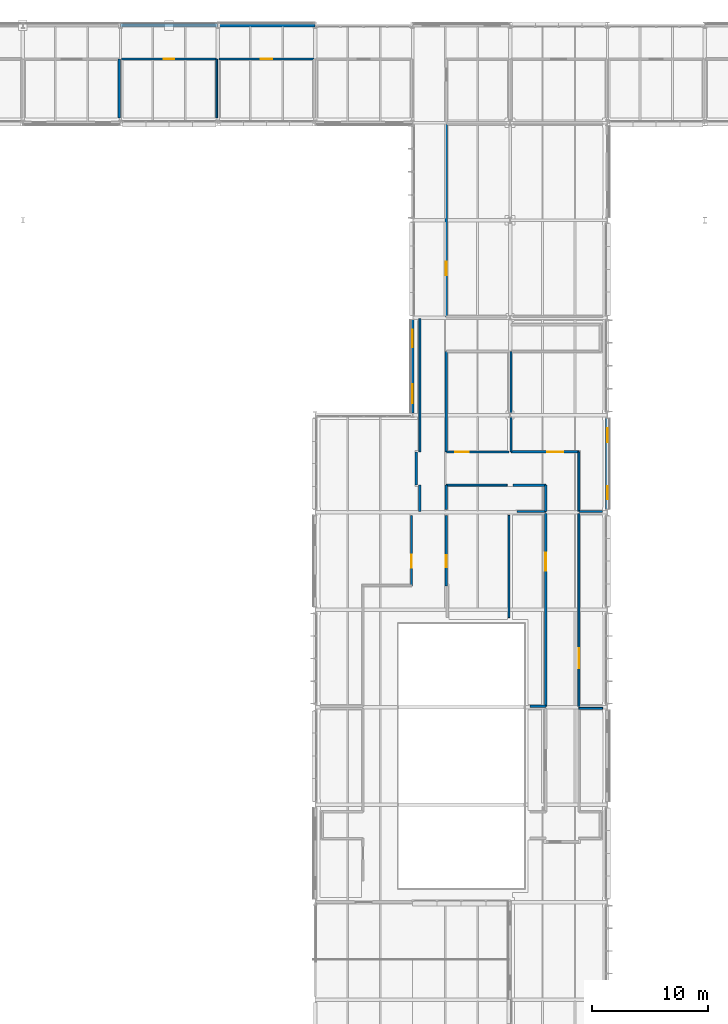
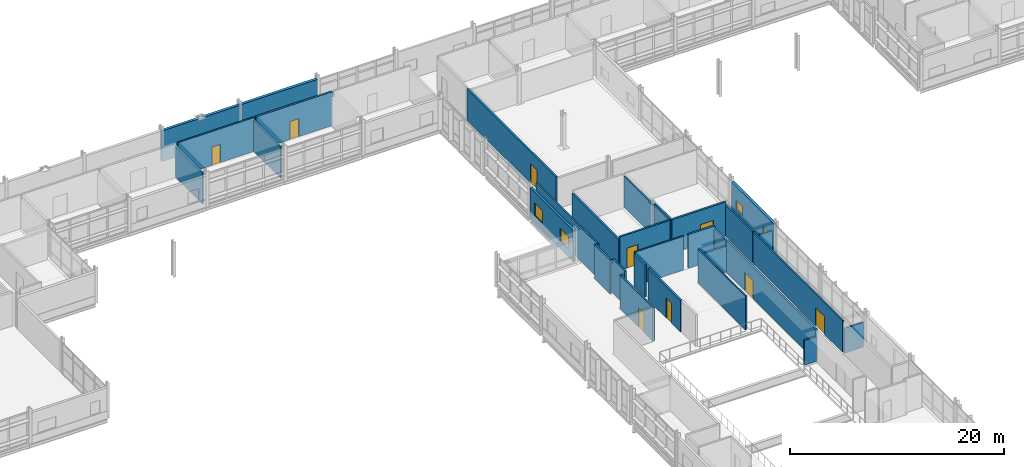
# One storey, part 109 of 131: 31 walls, 9 doors, 4 windows, 13 openings.
"""IFC4 building model written with IfcOpenShell, lengths in metres."""

from ifc_helpers import new_model, si_unit, direction, frame, frame_2d, origin, place, context, subcontext, project, spatial, rectangle, extrude, material, layer, layer_set, type_object, element, fill, save


model = new_model("IFC4")

# Units and contexts
model_context = context("Model", 3, precision=1e-05, world=origin(), true_north=direction((0.0, 1.0)))
body_context = subcontext(model_context, "Body", "Model", "MODEL_VIEW")
ifc_project = project(units=[si_unit("LENGTHUNIT", "METRE"), si_unit("AREAUNIT", "SQUARE_METRE"), si_unit("VOLUMEUNIT", "CUBIC_METRE"), si_unit("PLANEANGLEUNIT", "RADIAN"), si_unit("MASSUNIT", "GRAM", prefix="KILO")], contexts=[model_context])

# Site, building, storey
site_placement = place(None, origin())
site = spatial("IfcSite", under=ifc_project, at=site_placement, CompositionType="ELEMENT")
building_placement = place(site_placement, origin())
building = spatial("IfcBuilding", under=site, at=building_placement, Name="Mersafa Astral City Hall", CompositionType="ELEMENT")
storey_placement = place(building_placement, frame((0.0, 0.0, 13.949951171875)))
storey = spatial("IfcBuildingStorey", under=building, at=storey_placement, Name="L03", CompositionType="ELEMENT", Elevation=13.949951171875)

# Wall, openings, windows
ifc_material_1 = material(Name="Precast concrete C40/50 insulated limestone wall", Category="masonry")
ifc_layer_1 = layer(ifc_material_1, 0.264892578125, Name="Precast concrete C40/50 insulated limestone wall")
ifc_layer_set_1 = layer_set([ifc_layer_1], Name="Precast concrete C40/50 insulated limestone wall — ENV-WAL-EXT-265")
wall_type_1 = type_object("IfcWallType", Name="ENV-WAL-EXT-265", PredefinedType="STANDARD", material=ifc_layer_set_1)
wall_1_placement = place(storey_placement, frame((100.800048828125, 100.6240234375, 0.0), z_axis=(0.0, 0.0, 1.0), x_axis=(0.0, -1.0, 0.0)))
wall_1 = element("IfcWall", 1, at=wall_1_placement, inside=storey, type_object=wall_type_1, Name="L03 Limestone-clad exterior wall 279", PredefinedType="STANDARD", context=body_context, shape_type="SweptSolid", body=[
    extrude(rectangle(XDim=8.05810546875, YDim=0.264892578125, at=frame_2d((4.029052734375, 0.0))), origin(), (0.0, 0.0, 1.0), 3.5771484375),
])
opening_1_placement = place(wall_1_placement, frame((0.85009765625, 0.0, 0.89990234375)))
opening_1 = element("IfcOpeningElement", 2, at=opening_1_placement, cuts=wall_1, Name="Opening W-26", PredefinedType="OPENING", context=body_context, shape_type="SweptSolid", body=[
    extrude(rectangle(XDim=1.52001953125, YDim=1.449951171875, at=frame_2d((0.760009765625, 0.72509765625))), frame((0.0, 0.142333984375, 0.0), z_axis=(0.0, -1.0, 0.0), x_axis=(1.0, 0.0, 0.0)), (0.0, 0.0, 1.0), 0.284912109375),
])
opening_2_placement = place(wall_1_placement, frame((5.587890625, 0.0, 0.89990234375)))
opening_2 = element("IfcOpeningElement", 3, at=opening_2_placement, cuts=wall_1, Name="Opening W-27", PredefinedType="OPENING", context=body_context, shape_type="SweptSolid", body=[
    extrude(rectangle(XDim=1.6201171875, YDim=1.449951171875, at=frame_2d((0.81005859375, 0.72509765625))), frame((0.0, 0.142333984375, 0.0), z_axis=(0.0, -1.0, 0.0), x_axis=(1.0, 0.0, 0.0)), (0.0, 0.0, 1.0), 0.284912109375),
])
ifc_material_2 = material(Name="Solar control low-e double glazing in bronze frame", Category="glass")
window_type_1 = type_object("IfcWindowType", Name="ENV-WIN-W-26", PartitioningType="SINGLE_PANEL", PredefinedType="WINDOW", material=ifc_material_2)
window_1_placement = place(opening_1_placement, origin())
window_1 = element("IfcWindow", 4, at=window_1_placement, inside=storey, type_object=window_type_1, Name="L03 Solar punched window 279-L", OverallHeight=1.449951171875, OverallWidth=1.52001953125, PartitioningType="SINGLE_PANEL", PredefinedType="WINDOW", context=body_context, shape_type="SweptSolid", body=[
    extrude(rectangle(XDim=1.52001953125, YDim=1.449951171875, at=frame_2d((0.760009765625, 0.72509765625))), frame((0.0, 0.030029296875, 0.0), z_axis=(0.0, -1.0, 0.0), x_axis=(1.0, 0.0, 0.0)), (0.0, 0.0, 1.0), 0.06005859375),
])
fill(opening_1, window_1)
window_type_2 = type_object("IfcWindowType", Name="ENV-WIN-W-27", PartitioningType="SINGLE_PANEL", PredefinedType="WINDOW", material=ifc_material_2)
window_2_placement = place(opening_2_placement, origin())
window_2 = element("IfcWindow", 5, at=window_2_placement, inside=storey, type_object=window_type_2, Name="L03 Solar punched window 279-R", OverallHeight=1.449951171875, OverallWidth=1.6201171875, PartitioningType="SINGLE_PANEL", PredefinedType="WINDOW", context=body_context, shape_type="SweptSolid", body=[
    extrude(rectangle(XDim=1.6201171875, YDim=1.449951171875, at=frame_2d((0.81005859375, 0.72509765625))), frame((0.0, 0.030029296875, 0.0), z_axis=(0.0, -1.0, 0.0), x_axis=(1.0, 0.0, 0.0)), (0.0, 0.0, 1.0), 0.06005859375),
])
fill(opening_2, window_2)

ifc_layer_2 = layer(ifc_material_1, 0.294921875, Name="Precast concrete C40/50 insulated limestone wall")
ifc_layer_set_2 = layer_set([ifc_layer_2], Name="Precast concrete C40/50 insulated limestone wall — ENV-WAL-EXT-295")
wall_type_2 = type_object("IfcWallType", Name="ENV-WAL-EXT-295", PredefinedType="STANDARD", material=ifc_layer_set_2)
wall_2_placement = place(storey_placement, frame((117.60009765625, 84.27099609375, 0.0), z_axis=(0.0, 0.0, 1.0), x_axis=(0.0, 1.0, 0.0)))
wall_2 = element("IfcWall", 6, at=wall_2_placement, inside=storey, type_object=wall_type_2, Name="L03 Limestone-clad exterior wall 235", PredefinedType="STANDARD", context=body_context, shape_type="SweptSolid", body=[
    extrude(rectangle(XDim=7.85791015625, YDim=0.294921875, at=frame_2d((3.928955078125, 0.0))), origin(), (0.0, 0.0, 1.0), 3.487060546875),
])
opening_3_placement = place(wall_2_placement, frame((0.85009765625, 0.0, 0.89990234375)))
opening_3 = element("IfcOpeningElement", 7, at=opening_3_placement, cuts=wall_2, Name="Opening W-02", PredefinedType="OPENING", context=body_context, shape_type="SweptSolid", body=[
    extrude(rectangle(XDim=1.1201171875, YDim=1.050048828125, at=frame_2d((0.56005859375, 0.52490234375))), frame((0.0, 0.157470703125, 0.0), z_axis=(0.0, -1.0, 0.0), x_axis=(1.0, 0.0, 0.0)), (0.0, 0.0, 1.0), 0.31494140625),
])
opening_4_placement = place(wall_2_placement, frame((5.7880859375, 0.0, 0.89990234375)))
opening_4 = element("IfcOpeningElement", 8, at=opening_4_placement, cuts=wall_2, Name="Opening W-03", PredefinedType="OPENING", context=body_context, shape_type="SweptSolid", body=[
    extrude(rectangle(XDim=1.219970703125, YDim=1.050048828125, at=frame_2d((0.60986328125, 0.52490234375))), frame((0.0, 0.157470703125, 0.0), z_axis=(0.0, -1.0, 0.0), x_axis=(1.0, 0.0, 0.0)), (0.0, 0.0, 1.0), 0.31494140625),
])
window_type_3 = type_object("IfcWindowType", Name="ENV-WIN-W-02", PartitioningType="SINGLE_PANEL", PredefinedType="WINDOW", material=ifc_material_2)
window_3_placement = place(opening_3_placement, origin())
window_3 = element("IfcWindow", 9, at=window_3_placement, inside=storey, type_object=window_type_3, Name="L03 Solar punched window 235-L", OverallHeight=1.050048828125, OverallWidth=1.1201171875, PartitioningType="SINGLE_PANEL", PredefinedType="WINDOW", context=body_context, shape_type="SweptSolid", body=[
    extrude(rectangle(XDim=1.1201171875, YDim=1.050048828125, at=frame_2d((0.56005859375, 0.52490234375))), frame((0.0, 0.030029296875, 0.0), z_axis=(0.0, -1.0, 0.0), x_axis=(1.0, 0.0, 0.0)), (0.0, 0.0, 1.0), 0.06005859375),
])
fill(opening_3, window_3)
window_type_4 = type_object("IfcWindowType", Name="ENV-WIN-W-03", PartitioningType="SINGLE_PANEL", PredefinedType="WINDOW", material=ifc_material_2)
window_4_placement = place(opening_4_placement, origin())
window_4 = element("IfcWindow", 10, at=window_4_placement, inside=storey, type_object=window_type_4, Name="L03 Solar punched window 235-R", OverallHeight=1.050048828125, OverallWidth=1.219970703125, PartitioningType="SINGLE_PANEL", PredefinedType="WINDOW", context=body_context, shape_type="SweptSolid", body=[
    extrude(rectangle(XDim=1.219970703125, YDim=1.050048828125, at=frame_2d((0.60986328125, 0.52490234375))), frame((0.0, 0.030029296875, 0.0), z_axis=(0.0, -1.0, 0.0), x_axis=(1.0, 0.0, 0.0)), (0.0, 0.0, 1.0), 0.06005859375),
])
fill(opening_4, window_4)

# Walls
wall_3_placement = place(storey_placement, frame((83.991943359375, 126.0, 0.0), z_axis=(0.0, 0.0, 1.0), x_axis=(-1.0, 0.0, 0.0)))
element("IfcWall", 11, at=wall_3_placement, inside=storey, type_object=wall_type_2, Name="L03 Limestone-clad exterior wall 259", PredefinedType="STANDARD", context=body_context, shape_type="SweptSolid", body=[
    extrude(rectangle(XDim=8.384033203125, YDim=0.294921875, at=frame_2d((4.19189453125, 0.0))), origin(), (0.0, 0.0, 1.0), 3.487060546875),
])
ifc_layer_3 = layer(ifc_material_1, 0.31005859375, Name="Precast concrete C40/50 insulated limestone wall")
ifc_layer_set_3 = layer_set([ifc_layer_3], Name="Precast concrete C40/50 insulated limestone wall — ENV-WAL-EXT-310")
wall_type_3 = type_object("IfcWallType", Name="ENV-WAL-EXT-310", PredefinedType="STANDARD", material=ifc_layer_set_3)
wall_4_placement = place(storey_placement, frame((92.39208984375, 126.0, 0.0), z_axis=(0.0, 0.0, 1.0), x_axis=(-1.0, 0.0, 0.0)))
element("IfcWall", 12, at=wall_4_placement, inside=storey, type_object=wall_type_3, Name="L03 Limestone-clad exterior wall 258", PredefinedType="STANDARD", context=body_context, shape_type="SweptSolid", body=[
    extrude(rectangle(XDim=8.384033203125, YDim=0.31005859375, at=frame_2d((4.19189453125, 0.0))), origin(), (0.0, 0.0, 1.0), 3.51708984375),
])
ifc_material_3 = material(Name="Acoustic steel-stud gypsum partition", Category="steel")
ifc_layer_4 = layer(ifc_material_3, 0.14990234375, Name="Acoustic steel-stud gypsum partition")
ifc_layer_set_4 = layer_set([ifc_layer_4], Name="Acoustic steel-stud gypsum partition — INT-WAL-PART-EI30-150")
wall_type_4 = type_object("IfcWallType", Name="INT-WAL-PART-EI30-150", PredefinedType="STANDARD", material=ifc_layer_set_4)
wall_5_placement = place(storey_placement, frame((109.110107421875, 83.739990234375, -0.00390625), z_axis=(0.0, 0.0, 1.0), x_axis=(0.0, -1.0, 0.0)))
element("IfcWall", 13, at=wall_5_placement, inside=storey, type_object=wall_type_4, Name="L03 Interior partition wall 603", PredefinedType="STANDARD", context=body_context, shape_type="SweptSolid", body=[
    extrude(rectangle(XDim=8.800048828125, YDim=0.14990234375, at=frame_2d((4.39990234375, 0.0))), origin(), (0.0, 0.0, 1.0), 3.85400390625),
])
ifc_material_4 = material(Name="Fire-rated gypsum stud partition", Category="gypsum")
ifc_layer_5 = layer(ifc_material_4, 0.1650390625, Name="Fire-rated gypsum stud partition")
ifc_layer_set_5 = layer_set([ifc_layer_5], Name="Fire-rated gypsum stud partition — INT-WAL-PART-EI60-165")
wall_type_5 = type_object("IfcWallType", Name="INT-WAL-PART-EI60-165", PredefinedType="STANDARD", material=ifc_layer_set_5)
wall_6_placement = place(storey_placement, frame((101.419921875, 100.7099609375, -0.00390625), z_axis=(0.0, 0.0, 1.0), x_axis=(0.0, -1.0, 0.0)))
element("IfcWall", 14, at=wall_6_placement, inside=storey, type_object=wall_type_5, Name="L03 Interior partition wall 555", PredefinedType="STANDARD", context=body_context, shape_type="SweptSolid", body=[
    extrude(rectangle(XDim=11.489990234375, YDim=0.1650390625, at=frame_2d((5.7451171875, 0.0))), origin(), (0.0, 0.0, 1.0), 3.85400390625),
])
wall_7_placement = place(storey_placement, frame((115.139892578125, 84.090087890625, -0.00390625), z_axis=(0.0, 0.0, 1.0), x_axis=(0.0, 1.0, 0.0)))
element("IfcWall", 15, at=wall_7_placement, inside=storey, type_object=wall_type_5, Name="L03 Interior partition wall 571", PredefinedType="STANDARD", context=body_context, shape_type="SweptSolid", body=[
    extrude(rectangle(XDim=5.1298828125, YDim=0.1650390625, at=frame_2d((2.56494140625, 0.0))), origin(), (0.0, 0.0, 1.0), 3.551025390625),
])
wall_8_placement = place(storey_placement, frame((115.139892578125, 67.110107421875, -0.00390625), z_axis=(0.0, 0.0, 1.0), x_axis=(1.0, 0.0, 0.0)))
element("IfcWall", 16, at=wall_8_placement, inside=storey, type_object=wall_type_5, Name="L03 Interior partition wall 591", PredefinedType="STANDARD", context=body_context, shape_type="SweptSolid", body=[
    extrude(rectangle(XDim=2.0400390625, YDim=0.1650390625, at=frame_2d((1.02001953125, 0.0))), origin(), (0.0, 0.0, 1.0), 2.8359375),
])
wall_9_placement = place(storey_placement, frame((103.699951171875, 86.360107421875, -0.00390625), z_axis=(0.0, 0.0, 1.0), x_axis=(1.0, 0.0, 0.0)))
element("IfcWall", 17, at=wall_9_placement, inside=storey, type_object=wall_type_5, Name="L03 Interior partition wall 599", PredefinedType="STANDARD", context=body_context, shape_type="SweptSolid", body=[
    extrude(rectangle(XDim=5.239990234375, YDim=0.1650390625, at=frame_2d((2.6201171875, 0.0))), origin(), (0.0, 0.0, 1.0), 3.85400390625),
])
wall_10_placement = place(storey_placement, frame((83.909912109375, 123.10009765625, -0.00390625), z_axis=(0.0, 0.0, 1.0), x_axis=(0.0, -1.0, 0.0)))
element("IfcWall", 18, at=wall_10_placement, inside=storey, type_object=wall_type_5, Name="L03 Interior partition wall 623", PredefinedType="STANDARD", context=body_context, shape_type="SweptSolid", body=[
    extrude(rectangle(XDim=5.080078125, YDim=0.1650390625, at=frame_2d((2.5400390625, 0.0))), origin(), (0.0, 0.0, 1.0), 3.541015625),
])

# Wall, opening, door
wall_11_placement = place(storey_placement, frame((115.139892578125, 67.2900390625, -0.00390625), z_axis=(0.0, 0.0, 1.0), x_axis=(0.0, 1.0, 0.0)))
wall_11 = element("IfcWall", 19, at=wall_11_placement, inside=storey, type_object=wall_type_5, Name="L03 Interior partition wall 639", PredefinedType="STANDARD", context=body_context, shape_type="SweptSolid", body=[
    extrude(rectangle(XDim=16.619873046875, YDim=0.1650390625, at=frame_2d((8.31005859375, 0.0))), origin(), (0.0, 0.0, 1.0), 3.61083984375),
])
opening_5_placement = place(wall_11_placement, frame((3.294921875, 0.0, 0.0)))
opening_5 = element("IfcOpeningElement", 20, at=opening_5_placement, cuts=wall_11, Name="Opening D-09", PredefinedType="OPENING", context=body_context, shape_type="SweptSolid", body=[
    extrude(rectangle(XDim=1.719970703125, YDim=2.06005859375, at=frame_2d((0.85986328125, 1.030029296875))), frame((0.0, 0.092529296875, 0.0), z_axis=(0.0, -1.0, 0.0), x_axis=(1.0, 0.0, 0.0)), (0.0, 0.0, 1.0), 0.18505859375),
])
ifc_material_5 = material(Name="Cedar veneered acoustic fire-rated timber door", Category="wood")
door_type_1 = type_object("IfcDoorType", Name="INT-DR-RM-D-09", OperationType="NOTDEFINED", PredefinedType="DOOR", material=ifc_material_5)
door_1_placement = place(opening_5_placement, origin())
door_1 = element("IfcDoor", 21, at=door_1_placement, inside=storey, type_object=door_type_1, Name="L03 Public Procurement Review Room L03-25 Entrance Door", OperationType="SINGLE_SWING_LEFT", OverallHeight=2.06005859375, OverallWidth=1.719970703125, PredefinedType="DOOR", context=body_context, shape_type="SweptSolid", body=[
    extrude(rectangle(XDim=1.719970703125, YDim=2.06005859375, at=frame_2d((0.85986328125, 1.030029296875))), frame((0.0, 0.02490234375, 0.0), z_axis=(0.0, -1.0, 0.0), x_axis=(1.0, 0.0, 0.0)), (0.0, 0.0, 1.0), 0.050048828125),
])
fill(opening_5, door_1)

ifc_material_6 = material(Name="Acoustic twin-stud gypsum partition", Category="gypsum")
ifc_layer_6 = layer(ifc_material_6, 0.179931640625, Name="Acoustic twin-stud gypsum partition")
ifc_layer_set_6 = layer_set([ifc_layer_6], Name="Acoustic twin-stud gypsum partition — INT-WAL-PART-EI60-180")
wall_type_6 = type_object("IfcWallType", Name="INT-WAL-PART-EI60-180", PredefinedType="STANDARD", material=ifc_layer_set_6)
wall_12_placement = place(storey_placement, frame((100.7099609375, 83.739990234375, -0.00390625), z_axis=(0.0, 0.0, 1.0), x_axis=(0.0, -1.0, 0.0)))
wall_12 = element("IfcWall", 22, at=wall_12_placement, inside=storey, type_object=wall_type_6, Name="L03 Interior partition wall 558", PredefinedType="STANDARD", context=body_context, shape_type="SweptSolid", body=[
    extrude(rectangle(XDim=6.06005859375, YDim=0.179931640625, at=frame_2d((3.030029296875, 0.0))), origin(), (0.0, 0.0, 1.0), 3.85400390625),
])
opening_6_placement = place(wall_12_placement, frame((3.388916015625, 0.0, 0.0)))
opening_6 = element("IfcOpeningElement", 23, at=opening_6_placement, cuts=wall_12, Name="Opening D-22", PredefinedType="OPENING", context=body_context, shape_type="SweptSolid", body=[
    extrude(rectangle(XDim=1.10009765625, YDim=2.219970703125, at=frame_2d((0.550048828125, 1.10986328125))), frame((0.0, 0.099853515625, 0.0), z_axis=(0.0, -1.0, 0.0), x_axis=(1.0, 0.0, 0.0)), (0.0, 0.0, 1.0), 0.199951171875),
])
door_type_2 = type_object("IfcDoorType", Name="INT-DR-RM-D-22", OperationType="NOTDEFINED", PredefinedType="DOOR", material=ifc_material_5)
door_2_placement = place(opening_6_placement, origin())
door_2 = element("IfcDoor", 24, at=door_2_placement, inside=storey, type_object=door_type_2, Name="L03 Urban Planning Studio L03-02 Entrance Door", OperationType="SINGLE_SWING_RIGHT", OverallHeight=2.219970703125, OverallWidth=1.10009765625, PredefinedType="DOOR", context=body_context, shape_type="SweptSolid", body=[
    extrude(rectangle(XDim=1.10009765625, YDim=2.219970703125, at=frame_2d((0.550048828125, 1.10986328125))), frame((0.0, 0.02490234375, 0.0), z_axis=(0.0, -1.0, 0.0), x_axis=(1.0, 0.0, 0.0)), (0.0, 0.0, 1.0), 0.050048828125),
])
fill(opening_6, door_2)

# Walls
wall_13_placement = place(storey_placement, frame((117.179931640625, 84.090087890625, -0.00390625), z_axis=(0.0, 0.0, 1.0), x_axis=(-1.0, 0.0, 0.0)))
element("IfcWall", 25, at=wall_13_placement, inside=storey, type_object=wall_type_6, Name="L03 Interior partition wall 570", PredefinedType="STANDARD", context=body_context, shape_type="SweptSolid", body=[
    extrude(rectangle(XDim=2.0400390625, YDim=0.179931640625, at=frame_2d((1.02001953125, 0.0))), origin(), (0.0, 0.0, 1.0), 2.950927734375),
])
wall_14_placement = place(storey_placement, frame((109.2900390625, 92.551025390625, -0.00390625), z_axis=(0.0, 0.0, 1.0), x_axis=(0.0, 1.0, 0.0)))
element("IfcWall", 26, at=wall_14_placement, inside=storey, type_object=wall_type_6, Name="L03 Interior partition wall 574", PredefinedType="STANDARD", context=body_context, shape_type="SweptSolid", body=[
    extrude(rectangle(XDim=5.348876953125, YDim=0.179931640625, at=frame_2d((2.67431640625, 0.0))), origin(), (0.0, 0.0, 1.0), 3.541015625),
])
wall_15_placement = place(storey_placement, frame((103.699951171875, 84.260009765625, -0.00390625), z_axis=(0.0, 0.0, 1.0), x_axis=(0.0, 1.0, 0.0)))
element("IfcWall", 27, at=wall_15_placement, inside=storey, type_object=wall_type_6, Name="L03 Interior partition wall 598", PredefinedType="STANDARD", context=body_context, shape_type="SweptSolid", body=[
    extrude(rectangle(XDim=2.10009765625, YDim=0.179931640625, at=frame_2d((1.050048828125, 0.0))), origin(), (0.0, 0.0, 1.0), 3.630859375),
])
wall_16_placement = place(storey_placement, frame((112.280029296875, 84.090087890625, -0.00390625), z_axis=(0.0, 0.0, 1.0), x_axis=(-1.0, 0.0, 0.0)))
element("IfcWall", 28, at=wall_16_placement, inside=storey, type_object=wall_type_6, Name="L03 Interior partition wall 602", PredefinedType="STANDARD", context=body_context, shape_type="SweptSolid", body=[
    extrude(rectangle(XDim=2.469970703125, YDim=0.179931640625, at=frame_2d((1.23486328125, 0.0))), origin(), (0.0, 0.0, 1.0), 2.950927734375),
])

# Wall, opening, door
wall_17_placement = place(storey_placement, frame((109.110107421875, 89.219970703125, -0.00390625), z_axis=(0.0, 0.0, 1.0), x_axis=(-1.0, 0.0, 0.0)))
wall_17 = element("IfcWall", 29, at=wall_17_placement, inside=storey, type_object=wall_type_6, Name="L03 Interior partition wall 610", PredefinedType="STANDARD", context=body_context, shape_type="SweptSolid", body=[
    extrude(rectangle(XDim=5.41015625, YDim=0.179931640625, at=frame_2d((2.705078125, 0.0))), origin(), (0.0, 0.0, 1.0), 3.85400390625),
])
opening_7_placement = place(wall_17_placement, frame((3.467529296875, 0.0, 0.0)))
opening_7 = element("IfcOpeningElement", 30, at=opening_7_placement, cuts=wall_17, Name="Opening D-32", PredefinedType="OPENING", context=body_context, shape_type="SweptSolid", body=[
    extrude(rectangle(XDim=1.179931640625, YDim=2.300048828125, at=frame_2d((0.58984375, 1.14990234375))), frame((0.0, 0.099853515625, 0.0), z_axis=(0.0, -1.0, 0.0), x_axis=(1.0, 0.0, 0.0)), (0.0, 0.0, 1.0), 0.199951171875),
])
door_type_3 = type_object("IfcDoorType", Name="INT-DR-RM-D-32", OperationType="NOTDEFINED", PredefinedType="DOOR", material=ifc_material_5)
door_3_placement = place(opening_7_placement, origin())
door_3 = element("IfcDoor", 31, at=door_3_placement, inside=storey, type_object=door_type_3, Name="L03 Civil Engineering Directorate Office L03-12 Entrance Door", OperationType="SINGLE_SWING_RIGHT", OverallHeight=2.300048828125, OverallWidth=1.179931640625, PredefinedType="DOOR", context=body_context, shape_type="SweptSolid", body=[
    extrude(rectangle(XDim=1.179931640625, YDim=2.300048828125, at=frame_2d((0.58984375, 1.14990234375))), frame((0.0, 0.02490234375, 0.0), z_axis=(0.0, -1.0, 0.0), x_axis=(1.0, 0.0, 0.0)), (0.0, 0.0, 1.0), 0.050048828125),
])
fill(opening_7, door_3)

wall_18_placement = place(storey_placement, frame((75.68994140625, 123.10009765625, -0.00390625), z_axis=(0.0, 0.0, 1.0), x_axis=(1.0, 0.0, 0.0)))
wall_18 = element("IfcWall", 32, at=wall_18_placement, inside=storey, type_object=wall_type_6, Name="L03 Interior partition wall 622", PredefinedType="STANDARD", context=body_context, shape_type="SweptSolid", body=[
    extrude(rectangle(XDim=8.219970703125, YDim=0.179931640625, at=frame_2d((4.10986328125, 0.0))), origin(), (0.0, 0.0, 1.0), 3.85400390625),
])
opening_8_placement = place(wall_18_placement, frame((3.64990234375, 0.0, 0.0)))
opening_8 = element("IfcOpeningElement", 33, at=opening_8_placement, cuts=wall_18, Name="Opening D-01", PredefinedType="OPENING", context=body_context, shape_type="SweptSolid", body=[
    extrude(rectangle(XDim=0.919921875, YDim=2.06005859375, at=frame_2d((0.4599609375, 1.030029296875))), frame((0.0, 0.099853515625, 0.0), z_axis=(0.0, -1.0, 0.0), x_axis=(1.0, 0.0, 0.0)), (0.0, 0.0, 1.0), 0.199951171875),
])
door_type_4 = type_object("IfcDoorType", Name="INT-DR-RM-D-01", OperationType="NOTDEFINED", PredefinedType="DOOR", material=ifc_material_5)
door_4_placement = place(opening_8_placement, origin())
door_4 = element("IfcDoor", 34, at=door_4_placement, inside=storey, type_object=door_type_4, Name="L03 Building Permits Technical Office L03-17 Entrance Door", OperationType="SINGLE_SWING_LEFT", OverallHeight=2.06005859375, OverallWidth=0.919921875, PredefinedType="DOOR", context=body_context, shape_type="SweptSolid", body=[
    extrude(rectangle(XDim=0.919921875, YDim=2.06005859375, at=frame_2d((0.4599609375, 1.030029296875))), frame((0.0, 0.02490234375, 0.0), z_axis=(0.0, -1.0, 0.0), x_axis=(1.0, 0.0, 0.0)), (0.0, 0.0, 1.0), 0.050048828125),
])
fill(opening_8, door_4)

# Walls
wall_19_placement = place(storey_placement, frame((112.280029296875, 67.2900390625, -0.00390625), z_axis=(0.0, 0.0, 1.0), x_axis=(-1.0, 0.0, 0.0)))
element("IfcWall", 35, at=wall_19_placement, inside=storey, type_object=wall_type_6, Name="L03 Interior partition wall 638", PredefinedType="STANDARD", context=body_context, shape_type="SweptSolid", body=[
    extrude(rectangle(XDim=1.340087890625, YDim=0.179931640625, at=frame_2d((0.669921875, 0.0))), origin(), (0.0, 0.0, 1.0), 2.8359375),
])
ifc_layer_7 = layer(ifc_material_6, 0.195068359375, Name="Acoustic twin-stud gypsum partition")
ifc_layer_set_7 = layer_set([ifc_layer_7], Name="Acoustic twin-stud gypsum partition — INT-WAL-PART-EI60-195")
wall_type_7 = type_object("IfcWallType", Name="INT-WAL-PART-EI60-195", PredefinedType="STANDARD", material=ifc_layer_set_7)
wall_20_placement = place(storey_placement, frame((101.419921875, 86.360107421875, -0.00390625), z_axis=(0.0, 0.0, 1.0), x_axis=(0.0, -1.0, 0.0)))
element("IfcWall", 36, at=wall_20_placement, inside=storey, type_object=wall_type_7, Name="L03 Interior partition wall 557", PredefinedType="STANDARD", context=body_context, shape_type="SweptSolid", body=[
    extrude(rectangle(XDim=2.27001953125, YDim=0.195068359375, at=frame_2d((1.135009765625, 0.0))), origin(), (0.0, 0.0, 1.0), 3.85400390625),
])

# Wall, opening, door
wall_21_placement = place(storey_placement, frame((103.699951171875, 100.889892578125, -0.00390625), z_axis=(0.0, 0.0, 1.0), x_axis=(0.0, 1.0, 0.0)))
wall_21 = element("IfcWall", 37, at=wall_21_placement, inside=storey, type_object=wall_type_7, Name="L03 Interior partition wall 565", PredefinedType="STANDARD", context=body_context, shape_type="SweptSolid", body=[
    extrude(rectangle(XDim=16.6201171875, YDim=0.195068359375, at=frame_2d((8.31005859375, 0.0))), origin(), (0.0, 0.0, 1.0), 3.5810546875),
])
opening_9_placement = place(wall_21_placement, frame((3.56494140625, 0.0, 0.0)))
opening_9 = element("IfcOpeningElement", 38, at=opening_9_placement, cuts=wall_21, Name="Opening D-23", PredefinedType="OPENING", context=body_context, shape_type="SweptSolid", body=[
    extrude(rectangle(XDim=1.179931640625, YDim=2.219970703125, at=frame_2d((0.58984375, 1.10986328125))), frame((0.0, 0.107421875, 0.0), z_axis=(0.0, -1.0, 0.0), x_axis=(1.0, 0.0, 0.0)), (0.0, 0.0, 1.0), 0.215087890625),
])
door_type_5 = type_object("IfcDoorType", Name="INT-DR-RM-D-23", OperationType="NOTDEFINED", PredefinedType="DOOR", material=ifc_material_5)
door_5_placement = place(opening_9_placement, origin())
door_5 = element("IfcDoor", 39, at=door_5_placement, inside=storey, type_object=door_type_5, Name="L03 Civil Engineering Directorate Office L03-03 Entrance Door", OperationType="SINGLE_SWING_LEFT", OverallHeight=2.219970703125, OverallWidth=1.179931640625, PredefinedType="DOOR", context=body_context, shape_type="SweptSolid", body=[
    extrude(rectangle(XDim=1.179931640625, YDim=2.219970703125, at=frame_2d((0.58984375, 1.10986328125))), frame((0.0, 0.02490234375, 0.0), z_axis=(0.0, -1.0, 0.0), x_axis=(1.0, 0.0, 0.0)), (0.0, 0.0, 1.0), 0.050048828125),
])
fill(opening_9, door_5)

# Wall
wall_22_placement = place(storey_placement, frame((109.2900390625, 89.219970703125, -0.00390625), z_axis=(0.0, 0.0, 1.0), x_axis=(0.0, 1.0, 0.0)))
element("IfcWall", 40, at=wall_22_placement, inside=storey, type_object=wall_type_7, Name="L03 Interior partition wall 573", PredefinedType="STANDARD", context=body_context, shape_type="SweptSolid", body=[
    extrude(rectangle(XDim=3.029052734375, YDim=0.195068359375, at=frame_2d((1.5146484375, 0.0))), origin(), (0.0, 0.0, 1.0), 3.85400390625),
])

# Wall, opening, door
wall_23_placement = place(storey_placement, frame((103.699951171875, 77.679931640625, -0.00390625), z_axis=(0.0, 0.0, 1.0), x_axis=(0.0, 1.0, 0.0)))
wall_23 = element("IfcWall", 41, at=wall_23_placement, inside=storey, type_object=wall_type_7, Name="L03 Interior partition wall 597", PredefinedType="STANDARD", context=body_context, shape_type="SweptSolid", body=[
    extrude(rectangle(XDim=6.06005859375, YDim=0.195068359375, at=frame_2d((3.030029296875, 0.0))), origin(), (0.0, 0.0, 1.0), 3.61083984375),
])
opening_10_placement = place(wall_23_placement, frame((1.60107421875, 0.0, 0.0)))
opening_10 = element("IfcOpeningElement", 42, at=opening_10_placement, cuts=wall_23, Name="Opening D-30", PredefinedType="OPENING", context=body_context, shape_type="SweptSolid", body=[
    extrude(rectangle(XDim=1.0400390625, YDim=2.300048828125, at=frame_2d((0.52001953125, 1.14990234375))), frame((0.0, 0.107421875, 0.0), z_axis=(0.0, -1.0, 0.0), x_axis=(1.0, 0.0, 0.0)), (0.0, 0.0, 1.0), 0.215087890625),
])
door_type_6 = type_object("IfcDoorType", Name="INT-DR-RM-D-30", OperationType="NOTDEFINED", PredefinedType="DOOR", material=ifc_material_5)
door_6_placement = place(opening_10_placement, origin())
door_6 = element("IfcDoor", 43, at=door_6_placement, inside=storey, type_object=door_type_6, Name="L03 Municipal Administration Office L03-10 Entrance Door", OperationType="SINGLE_SWING_RIGHT", OverallHeight=2.300048828125, OverallWidth=1.0400390625, PredefinedType="DOOR", context=body_context, shape_type="SweptSolid", body=[
    extrude(rectangle(XDim=1.0400390625, YDim=2.300048828125, at=frame_2d((0.52001953125, 1.14990234375))), frame((0.0, 0.02490234375, 0.0), z_axis=(0.0, -1.0, 0.0), x_axis=(1.0, 0.0, 0.0)), (0.0, 0.0, 1.0), 0.050048828125),
])
fill(opening_10, door_6)

# Walls
wall_24_placement = place(storey_placement, frame((112.280029296875, 86.360107421875, -0.00390625), z_axis=(0.0, 0.0, 1.0), x_axis=(0.0, -1.0, 0.0)))
element("IfcWall", 44, at=wall_24_placement, inside=storey, type_object=wall_type_7, Name="L03 Interior partition wall 601", PredefinedType="STANDARD", context=body_context, shape_type="SweptSolid", body=[
    extrude(rectangle(XDim=2.27001953125, YDim=0.195068359375, at=frame_2d((1.135009765625, 0.0))), origin(), (0.0, 0.0, 1.0), 3.551025390625),
])
wall_25_placement = place(storey_placement, frame((75.510009765625, 123.10009765625, -0.00390625), z_axis=(0.0, 0.0, 1.0), x_axis=(0.0, -1.0, 0.0)))
element("IfcWall", 45, at=wall_25_placement, inside=storey, type_object=wall_type_7, Name="L03 Interior partition wall 621", PredefinedType="STANDARD", context=body_context, shape_type="SweptSolid", body=[
    extrude(rectangle(XDim=5.080078125, YDim=0.195068359375, at=frame_2d((2.5400390625, 0.0))), origin(), (0.0, 0.0, 1.0), 3.5009765625),
])

# Wall, opening, door
wall_26_placement = place(storey_placement, frame((112.280029296875, 83.909912109375, -0.00390625), z_axis=(0.0, 0.0, 1.0), x_axis=(0.0, -1.0, 0.0)))
wall_26 = element("IfcWall", 46, at=wall_26_placement, inside=storey, type_object=wall_type_7, Name="L03 Interior partition wall 637", PredefinedType="STANDARD", context=body_context, shape_type="SweptSolid", body=[
    extrude(rectangle(XDim=16.619873046875, YDim=0.195068359375, at=frame_2d((8.31005859375, 0.0))), origin(), (0.0, 0.0, 1.0), 3.61083984375),
])
opening_11_placement = place(wall_26_placement, frame((3.385009765625, 0.0, 0.0)))
opening_11 = element("IfcOpeningElement", 47, at=opening_11_placement, cuts=wall_26, Name="Opening D-08", PredefinedType="OPENING", context=body_context, shape_type="SweptSolid", body=[
    extrude(rectangle(XDim=1.5400390625, YDim=2.06005859375, at=frame_2d((0.77001953125, 1.030029296875))), frame((0.0, 0.107421875, 0.0), z_axis=(0.0, -1.0, 0.0), x_axis=(1.0, 0.0, 0.0)), (0.0, 0.0, 1.0), 0.215087890625),
])
door_type_7 = type_object("IfcDoorType", Name="INT-DR-RM-D-08", OperationType="NOTDEFINED", PredefinedType="DOOR", material=ifc_material_5)
door_7_placement = place(opening_11_placement, origin())
door_7 = element("IfcDoor", 48, at=door_7_placement, inside=storey, type_object=door_type_7, Name="L03 Legal Counsel & Legislation Office L03-24 Entrance Door", OperationType="SINGLE_SWING_RIGHT", OverallHeight=2.06005859375, OverallWidth=1.5400390625, PredefinedType="DOOR", context=body_context, shape_type="SweptSolid", body=[
    extrude(rectangle(XDim=1.5400390625, YDim=2.06005859375, at=frame_2d((0.77001953125, 1.030029296875))), frame((0.0, 0.02490234375, 0.0), z_axis=(0.0, -1.0, 0.0), x_axis=(1.0, 0.0, 0.0)), (0.0, 0.0, 1.0), 0.050048828125),
])
fill(opening_11, door_7)

# Wall
ifc_material_7 = material(Name="Autoclaved aerated concrete blockwork plastered", Category="masonry")
ifc_layer_8 = layer(ifc_material_7, 0.2099609375, Name="Autoclaved aerated concrete blockwork plastered")
ifc_layer_set_8 = layer_set([ifc_layer_8], Name="Autoclaved aerated concrete blockwork plastered — INT-WAL-PART-EI60-210")
wall_type_8 = type_object("IfcWallType", Name="INT-WAL-PART-EI60-210", PredefinedType="STANDARD", material=ifc_layer_set_8)
wall_27_placement = place(storey_placement, frame((101.1298828125, 89.219970703125, -0.00390625), z_axis=(0.0, 0.0, 1.0), x_axis=(0.0, -1.0, 0.0)))
element("IfcWall", 49, at=wall_27_placement, inside=storey, type_object=wall_type_8, Name="L03 Interior partition wall 556", PredefinedType="STANDARD", context=body_context, shape_type="SweptSolid", body=[
    extrude(rectangle(XDim=2.85986328125, YDim=0.2099609375, at=frame_2d((1.429931640625, 0.0))), origin(), (0.0, 0.0, 1.0), 3.85400390625),
])

# Wall, opening, door
wall_28_placement = place(storey_placement, frame((115.139892578125, 89.219970703125, -0.00390625), z_axis=(0.0, 0.0, 1.0), x_axis=(-1.0, 0.0, 0.0)))
wall_28 = element("IfcWall", 50, at=wall_28_placement, inside=storey, type_object=wall_type_8, Name="L03 Interior partition wall 572", PredefinedType="STANDARD", context=body_context, shape_type="SweptSolid", body=[
    extrude(rectangle(XDim=5.849853515625, YDim=0.2099609375, at=frame_2d((2.9248046875, 0.0))), origin(), (0.0, 0.0, 1.0), 3.85400390625),
])
opening_12_placement = place(wall_28_placement, frame((1.347412109375, 0.0, 0.0)))
opening_12 = element("IfcOpeningElement", 51, at=opening_12_placement, cuts=wall_28, Name="Opening D-25", PredefinedType="OPENING", context=body_context, shape_type="SweptSolid", body=[
    extrude(rectangle(XDim=1.39990234375, YDim=2.219970703125, at=frame_2d((0.699951171875, 1.10986328125))), frame((0.0, 0.114990234375, 0.0), z_axis=(0.0, -1.0, 0.0), x_axis=(1.0, 0.0, 0.0)), (0.0, 0.0, 1.0), 0.22998046875),
])
door_type_8 = type_object("IfcDoorType", Name="INT-DR-RM-D-25", OperationType="NOTDEFINED", PredefinedType="DOOR", material=ifc_material_5)
door_8_placement = place(opening_12_placement, origin())
door_8 = element("IfcDoor", 52, at=door_8_placement, inside=storey, type_object=door_type_8, Name="L03 Standing Committee Room L03-05 Entrance Door", OperationType="SINGLE_SWING_LEFT", OverallHeight=2.219970703125, OverallWidth=1.39990234375, PredefinedType="DOOR", context=body_context, shape_type="SweptSolid", body=[
    extrude(rectangle(XDim=1.39990234375, YDim=2.219970703125, at=frame_2d((0.699951171875, 1.10986328125))), frame((0.0, 0.02490234375, 0.0), z_axis=(0.0, -1.0, 0.0), x_axis=(1.0, 0.0, 0.0)), (0.0, 0.0, 1.0), 0.050048828125),
])
fill(opening_12, door_8)

# Walls
wall_29_placement = place(storey_placement, frame((109.4599609375, 86.360107421875, -0.00390625), z_axis=(0.0, 0.0, 1.0), x_axis=(1.0, 0.0, 0.0)))
element("IfcWall", 53, at=wall_29_placement, inside=storey, type_object=wall_type_8, Name="L03 Interior partition wall 600", PredefinedType="STANDARD", context=body_context, shape_type="SweptSolid", body=[
    extrude(rectangle(XDim=2.820068359375, YDim=0.2099609375, at=frame_2d((1.41015625, 0.0))), origin(), (0.0, 0.0, 1.0), 3.85400390625),
])
wall_30_placement = place(storey_placement, frame((103.699951171875, 89.219970703125, -0.00390625), z_axis=(0.0, 0.0, 1.0), x_axis=(0.0, 1.0, 0.0)))
element("IfcWall", 54, at=wall_30_placement, inside=storey, type_object=wall_type_8, Name="L03 Interior partition wall 608", PredefinedType="STANDARD", context=body_context, shape_type="SweptSolid", body=[
    extrude(rectangle(XDim=8.679931640625, YDim=0.2099609375, at=frame_2d((4.33984375, 0.0))), origin(), (0.0, 0.0, 1.0), 3.551025390625),
])

# Wall, opening, door
wall_31_placement = place(storey_placement, frame((84.090087890625, 123.10009765625, -0.00390625), z_axis=(0.0, 0.0, 1.0), x_axis=(1.0, 0.0, 0.0)))
wall_31 = element("IfcWall", 55, at=wall_31_placement, inside=storey, type_object=wall_type_8, Name="L03 Interior partition wall 624", PredefinedType="STANDARD", context=body_context, shape_type="SweptSolid", body=[
    extrude(rectangle(XDim=8.219970703125, YDim=0.2099609375, at=frame_2d((4.10986328125, 0.0))), origin(), (0.0, 0.0, 1.0), 3.85400390625),
])
opening_13_placement = place(wall_31_placement, frame((3.6201171875, 0.0, 0.0)))
opening_13 = element("IfcOpeningElement", 56, at=opening_13_placement, cuts=wall_31, Name="Opening D-02", PredefinedType="OPENING", context=body_context, shape_type="SweptSolid", body=[
    extrude(rectangle(XDim=0.97998046875, YDim=2.06005859375, at=frame_2d((0.489990234375, 1.030029296875))), frame((0.0, 0.114990234375, 0.0), z_axis=(0.0, -1.0, 0.0), x_axis=(1.0, 0.0, 0.0)), (0.0, 0.0, 1.0), 0.22998046875),
])
door_type_9 = type_object("IfcDoorType", Name="INT-DR-RM-D-02", OperationType="NOTDEFINED", PredefinedType="DOOR", material=ifc_material_5)
door_9_placement = place(opening_13_placement, origin())
door_9 = element("IfcDoor", 57, at=door_9_placement, inside=storey, type_object=door_type_9, Name="L03 Public Restroom L03-18 Entrance Door", OperationType="SINGLE_SWING_RIGHT", OverallHeight=2.06005859375, OverallWidth=0.97998046875, PredefinedType="DOOR", context=body_context, shape_type="SweptSolid", body=[
    extrude(rectangle(XDim=0.97998046875, YDim=2.06005859375, at=frame_2d((0.489990234375, 1.030029296875))), frame((0.0, 0.02490234375, 0.0), z_axis=(0.0, -1.0, 0.0), x_axis=(1.0, 0.0, 0.0)), (0.0, 0.0, 1.0), 0.050048828125),
])
fill(opening_13, door_9)

save(model, "model.ifc")
